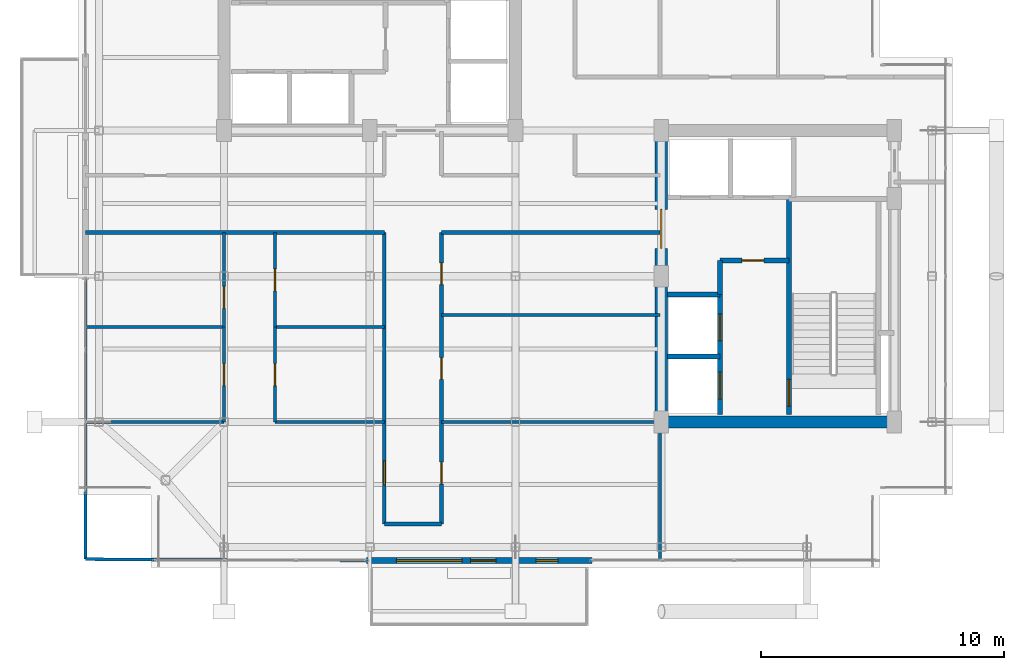
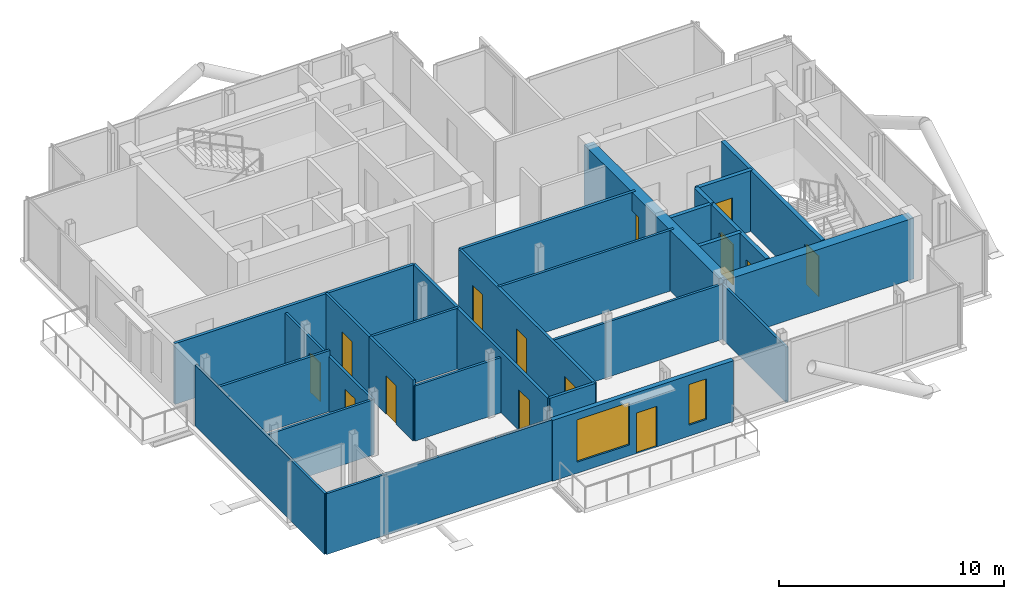
# One storey, part 14 of 18: 27 walls, 14 doors, 2 windows, 16 openings.
"""IFC4 building model written with IfcOpenShell, lengths in metres."""

from ifc_helpers import new_model, si_unit, direction, frame, frame_2d, origin, place, context, subcontext, project, spatial, rectangle, extrude, material, layer, layer_set, type_object, element, fill, save


model = new_model("IFC4")

# Units and contexts
model_context = context("Model", 3, precision=1e-05, world=origin(), true_north=direction((0.0, 1.0)))
body_context = subcontext(model_context, "Body", "Model", "MODEL_VIEW")
ifc_project = project(units=[si_unit("LENGTHUNIT", "METRE"), si_unit("AREAUNIT", "SQUARE_METRE"), si_unit("VOLUMEUNIT", "CUBIC_METRE"), si_unit("PLANEANGLEUNIT", "RADIAN"), si_unit("MASSUNIT", "GRAM", prefix="KILO"), si_unit("THERMODYNAMICTEMPERATUREUNIT", "KELVIN"), si_unit("POWERUNIT", "WATT")], contexts=[model_context])

# Site, building, storey
site_placement = place(None, origin())
site = spatial("IfcSite", under=ifc_project, at=site_placement, CompositionType="ELEMENT")
building_placement = place(site_placement, origin())
building = spatial("IfcBuilding", under=site, at=building_placement, Name="Svarakhadi Broadcast Tower", CompositionType="ELEMENT")
storey_placement = place(building_placement, frame((0.0, 0.0, 264.199951171875)))
storey = spatial("IfcBuildingStorey", under=building, at=storey_placement, Name="L66", CompositionType="ELEMENT", Elevation=264.199951171875)

# Wall, openings, door, windows
ifc_material_1 = material(Name="Concrete C40/50 (IS 456 M50)", Category="concrete")
ifc_layer_1 = layer(ifc_material_1, 0.239990234375)
ifc_layer_set_1 = layer_set([ifc_layer_1], Name="Concrete C40/50 (IS 456 M50)")
wall_type_1 = type_object("IfcWallType", Name="Wall_Ext_240", PredefinedType="SOLIDWALL", material=ifc_layer_set_1)
wall_1_placement = place(storey_placement, frame((21.14501953125, 0.300048828125, 0.0), z_axis=(0.0, 0.0, 1.0), x_axis=(-1.0, 0.0, 0.0)))
wall_1 = element("IfcWall", 1, at=wall_1_placement, inside=storey, type_object=wall_type_1, Name="L66 South Tree Balcony Spandrel Wall", PredefinedType="SOLIDWALL", context=body_context, shape_type="SweptSolid", body=[
    extrude(rectangle(XDim=9.2900390625, YDim=0.239990234375, at=frame_2d((4.64501953125, 0.0))), origin(), (0.0, 0.0, 1.0), 3.300048828125),
])
opening_1_placement = place(wall_1_placement, frame((3.945068359375, 0.0, 0.0)))
opening_1 = element("IfcOpeningElement", 2, at=opening_1_placement, cuts=wall_1, Name="Opening ED-06", PredefinedType="OPENING", context=body_context, shape_type="SweptSolid", body=[
    extrude(rectangle(XDim=1.050048828125, YDim=2.199951171875, at=frame_2d((0.52490234375, 1.10009765625))), frame((0.0, 0.1298828125, 0.0), z_axis=(0.0, -1.0, 0.0), x_axis=(1.0, 0.0, 0.0)), (0.0, 0.0, 1.0), 0.260009765625),
])
opening_2_placement = place(wall_1_placement, frame((5.344970703125, 0.0, 0.60009765625)))
opening_2 = element("IfcOpeningElement", 3, at=opening_2_placement, cuts=wall_1, Name="Opening WN-07", PredefinedType="OPENING", context=body_context, shape_type="SweptSolid", body=[
    extrude(rectangle(XDim=2.699951171875, YDim=2.300048828125, at=frame_2d((1.35009765625, 1.14990234375))), frame((0.0, 0.1298828125, 0.0), z_axis=(0.0, -1.0, 0.0), x_axis=(1.0, 0.0, 0.0)), (0.0, 0.0, 1.0), 0.260009765625),
])
opening_3_placement = place(wall_1_placement, frame((1.39990234375, 0.0, 0.60009765625)))
opening_3 = element("IfcOpeningElement", 4, at=opening_3_placement, cuts=wall_1, Name="Opening WN-04", PredefinedType="OPENING", context=body_context, shape_type="SweptSolid", body=[
    extrude(rectangle(XDim=0.89990234375, YDim=2.199951171875, at=frame_2d((0.449951171875, 1.10009765625))), frame((0.0, 0.1298828125, 0.0), z_axis=(0.0, -1.0, 0.0), x_axis=(1.0, 0.0, 0.0)), (0.0, 0.0, 1.0), 0.260009765625),
])
ifc_material_2 = material(Name="Anodised Bronze Aluminium AA 6063-T6", Category="aluminium")
door_type_1 = type_object("IfcDoorType", Name="Door_Ext_ED06", OperationType="SINGLE_SWING_RIGHT", PredefinedType="DOOR", material=ifc_material_2)
door_1_placement = place(opening_1_placement, origin())
door_1 = element("IfcDoor", 5, at=door_1_placement, inside=storey, type_object=door_type_1, Name="L66 South Tree Balcony Door", OperationType="SINGLE_SWING_RIGHT", OverallHeight=2.199951171875, OverallWidth=1.050048828125, PredefinedType="DOOR", context=body_context, shape_type="SweptSolid", body=[
    extrude(rectangle(XDim=1.050048828125, YDim=2.199951171875, at=frame_2d((0.52490234375, 1.10009765625))), frame((0.0, 0.02490234375, 0.0), z_axis=(0.0, -1.0, 0.0), x_axis=(1.0, 0.0, 0.0)), (0.0, 0.0, 1.0), 0.050048828125),
])
fill(opening_1, door_1)
ifc_material_3 = material(Name="Double Low-E Laminated Acoustic Glass IGU 36 mm", Category="glass")
window_type_1 = type_object("IfcWindowType", Name="Win_Resi_WN07", PartitioningType="SINGLE_PANEL", PredefinedType="WINDOW", material=ifc_material_3)
window_1_placement = place(opening_2_placement, origin())
window_1 = element("IfcWindow", 6, at=window_1_placement, inside=storey, type_object=window_type_1, Name="L66 South Tree Balcony Window", OverallHeight=2.300048828125, OverallWidth=2.699951171875, PartitioningType="SINGLE_PANEL", PredefinedType="WINDOW", context=body_context, shape_type="SweptSolid", body=[
    extrude(rectangle(XDim=2.699951171875, YDim=2.300048828125, at=frame_2d((1.35009765625, 1.14990234375))), frame((0.0, 0.030029296875, 0.0), z_axis=(0.0, -1.0, 0.0), x_axis=(1.0, 0.0, 0.0)), (0.0, 0.0, 1.0), 0.06005859375),
])
fill(opening_2, window_1)
window_type_2 = type_object("IfcWindowType", Name="Win_Slot_WN04", PartitioningType="SINGLE_PANEL", PredefinedType="WINDOW", material=ifc_material_3)
window_2_placement = place(opening_3_placement, origin())
window_2 = element("IfcWindow", 7, at=window_2_placement, inside=storey, type_object=window_type_2, Name="L66 South Primary Bedroom Slot Window", OverallHeight=2.199951171875, OverallWidth=0.89990234375, PartitioningType="SINGLE_PANEL", PredefinedType="WINDOW", context=body_context, shape_type="SweptSolid", body=[
    extrude(rectangle(XDim=0.89990234375, YDim=2.199951171875, at=frame_2d((0.449951171875, 1.10009765625))), frame((0.0, 0.030029296875, 0.0), z_axis=(0.0, -1.0, 0.0), x_axis=(1.0, 0.0, 0.0)), (0.0, 0.0, 1.0), 0.06005859375),
])
fill(opening_3, window_2)

# Walls
ifc_material_4 = material(Name="Fire-Rated Moisture-Resistant Gypsum Board Partition", Category="gypsum")
ifc_layer_2 = layer(ifc_material_4, 0.125)
ifc_layer_set_2 = layer_set([ifc_layer_2], Name="Fire-Rated Moisture-Resistant Gypsum Board Partition")
wall_type_2 = type_object("IfcWallType", Name="Wall_Part_125", PredefinedType="PARTITIONING", material=ifc_layer_set_2)
wall_2_placement = place(storey_placement, frame((0.300048828125, 0.35009765625, 0.0), z_axis=(0.0, 0.0, 1.0), x_axis=(0.999991685722, -0.004077804208, 0.0)))
element("IfcWall", 8, at=wall_2_placement, inside=storey, type_object=wall_type_2, Name="L66 Apartment A Wall", PredefinedType="PARTITIONING", context=body_context, shape_type="SweptSolid", body=[
    extrude(rectangle(XDim=11.554931640625, YDim=0.125, at=frame_2d((5.77734375, 0.0))), origin(), (0.0, 0.0, 1.0), 3.300048828125),
])
wall_3_placement = place(storey_placement, frame((0.300048828125, 0.35009765625, 0.0), z_axis=(0.0, 0.0, 1.0), x_axis=(0.0, 1.0, 0.0)))
element("IfcWall", 9, at=wall_3_placement, inside=storey, type_object=wall_type_2, Name="L66 Apartment A Wall", PredefinedType="PARTITIONING", context=body_context, shape_type="SweptSolid", body=[
    extrude(rectangle(XDim=11.5048828125, YDim=0.125, at=frame_2d((5.75244140625, 0.0))), origin(), (0.0, 0.0, 1.0), 3.300048828125),
])
wall_4_placement = place(storey_placement, frame((8.10009765625, 6.0, 0.0), z_axis=(0.0, 0.0, 1.0), x_axis=(1.0, 0.0, 0.0)))
element("IfcWall", 10, at=wall_4_placement, inside=storey, type_object=wall_type_2, Name="L66 Apartment A Kitchen Wall", PredefinedType="PARTITIONING", context=body_context, shape_type="SweptSolid", body=[
    extrude(rectangle(XDim=4.5, YDim=0.125, at=frame_2d((2.25, 0.0))), origin(), (0.0, 0.0, 1.0), 2.991943359375),
])
wall_5_placement = place(storey_placement, frame((8.10009765625, 9.89990234375, 0.0), z_axis=(0.0, 0.0, 1.0), x_axis=(1.0, 0.0, 0.0)))
element("IfcWall", 11, at=wall_5_placement, inside=storey, type_object=wall_type_2, Name="L66 Apartment A Kitchen Wall", PredefinedType="PARTITIONING", context=body_context, shape_type="SweptSolid", body=[
    extrude(rectangle(XDim=4.5, YDim=0.125, at=frame_2d((2.25, 0.0))), origin(), (0.0, 0.0, 1.0), 3.300048828125),
])

# Wall, opening, door
wall_6_placement = place(storey_placement, frame((8.10009765625, 6.0, 0.0), z_axis=(0.0, 0.0, 1.0), x_axis=(0.0, 1.0, 0.0)))
wall_6 = element("IfcWall", 12, at=wall_6_placement, inside=storey, type_object=wall_type_2, Name="L66 Apartment A Kitchen Wall", PredefinedType="PARTITIONING", context=body_context, shape_type="SweptSolid", body=[
    extrude(rectangle(XDim=3.89990234375, YDim=0.125, at=frame_2d((1.949951171875, 0.0))), origin(), (0.0, 0.0, 1.0), 3.300048828125),
])
opening_4_placement = place(wall_6_placement, frame((1.5, 0.0, 0.0)))
opening_4 = element("IfcOpeningElement", 13, at=opening_4_placement, cuts=wall_6, Name="Opening D-15", PredefinedType="OPENING", context=body_context, shape_type="SweptSolid", body=[
    extrude(rectangle(XDim=0.89990234375, YDim=2.10009765625, at=frame_2d((0.449951171875, 1.050048828125))), frame((0.0, 0.072509765625, 0.0), z_axis=(0.0, -1.0, 0.0), x_axis=(1.0, 0.0, 0.0)), (0.0, 0.0, 1.0), 0.14501953125),
])
ifc_material_5 = material(Name="Solid-Core Teak Veneer Acoustic Timber Leaf", Category="wood")
door_type_2 = type_object("IfcDoorType", Name="Door_Int_D15", OperationType="SINGLE_SWING_RIGHT", PredefinedType="DOOR", material=ifc_material_5)
door_2_placement = place(opening_4_placement, origin())
door_2 = element("IfcDoor", 14, at=door_2_placement, inside=storey, type_object=door_type_2, Name="L66 Apartment A Kitchen Door", OperationType="SINGLE_SWING_RIGHT", OverallHeight=2.10009765625, OverallWidth=0.89990234375, PredefinedType="DOOR", context=body_context, shape_type="SweptSolid", body=[
    extrude(rectangle(XDim=0.89990234375, YDim=2.10009765625, at=frame_2d((0.449951171875, 1.050048828125))), frame((0.0, 0.02490234375, 0.0), z_axis=(0.0, -1.0, 0.0), x_axis=(1.0, 0.0, 0.0)), (0.0, 0.0, 1.0), 0.050048828125),
])
fill(opening_4, door_2)

wall_7_placement = place(storey_placement, frame((8.10009765625, 9.89990234375, 0.0), z_axis=(0.0, 0.0, 1.0), x_axis=(0.0, 1.0, 0.0)))
wall_7 = element("IfcWall", 15, at=wall_7_placement, inside=storey, type_object=wall_type_2, Name="L66 Apartment A Bathroom Wall", PredefinedType="PARTITIONING", context=body_context, shape_type="SweptSolid", body=[
    extrude(rectangle(XDim=3.900146484375, YDim=0.125, at=frame_2d((1.9501953125, 0.0))), origin(), (0.0, 0.0, 1.0), 3.300048828125),
])
opening_5_placement = place(wall_7_placement, frame((1.5, 0.0, 0.0)))
opening_5 = element("IfcOpeningElement", 16, at=opening_5_placement, cuts=wall_7, Name="Opening D-12", PredefinedType="OPENING", context=body_context, shape_type="SweptSolid", body=[
    extrude(rectangle(XDim=0.89990234375, YDim=2.10009765625, at=frame_2d((0.449951171875, 1.050048828125))), frame((0.0, 0.072509765625, 0.0), z_axis=(0.0, -1.0, 0.0), x_axis=(1.0, 0.0, 0.0)), (0.0, 0.0, 1.0), 0.14501953125),
])
door_type_3 = type_object("IfcDoorType", Name="Door_WC_D01", OperationType="SINGLE_SWING_LEFT", PredefinedType="DOOR", material=ifc_material_5)
door_3_placement = place(opening_5_placement, origin())
door_3 = element("IfcDoor", 17, at=door_3_placement, inside=storey, type_object=door_type_3, Name="L66 Apartment A Bathroom Door", OperationType="SINGLE_SWING_LEFT", OverallHeight=2.10009765625, OverallWidth=0.89990234375, PredefinedType="DOOR", context=body_context, shape_type="SweptSolid", body=[
    extrude(rectangle(XDim=0.89990234375, YDim=2.10009765625, at=frame_2d((0.449951171875, 1.050048828125))), frame((0.0, 0.02490234375, 0.0), z_axis=(0.0, -1.0, 0.0), x_axis=(1.0, 0.0, 0.0)), (0.0, 0.0, 1.0), 0.050048828125),
])
fill(opening_5, door_3)

# Walls
wall_8_placement = place(storey_placement, frame((0.300048828125, 6.0, 0.0), z_axis=(0.0, 0.0, 1.0), x_axis=(1.0, 0.0, 0.0)))
element("IfcWall", 18, at=wall_8_placement, inside=storey, type_object=wall_type_2, Name="L66 Apartment A Bedroom 1 Wall", PredefinedType="PARTITIONING", context=body_context, shape_type="SweptSolid", body=[
    extrude(rectangle(XDim=5.699951171875, YDim=0.125, at=frame_2d((2.85009765625, 0.0))), origin(), (0.0, 0.0, 1.0), 2.991943359375),
])
wall_9_placement = place(storey_placement, frame((0.300048828125, 9.89990234375, 0.0), z_axis=(0.0, 0.0, 1.0), x_axis=(1.0, 0.0, 0.0)))
element("IfcWall", 19, at=wall_9_placement, inside=storey, type_object=wall_type_2, Name="L66 Apartment A Bedroom 1 Wall", PredefinedType="PARTITIONING", context=body_context, shape_type="SweptSolid", body=[
    extrude(rectangle(XDim=5.699951171875, YDim=0.125, at=frame_2d((2.85009765625, 0.0))), origin(), (0.0, 0.0, 1.0), 3.300048828125),
])

# Wall, opening, door
wall_10_placement = place(storey_placement, frame((6.0, 6.0, 0.0), z_axis=(0.0, 0.0, 1.0), x_axis=(0.0, 1.0, 0.0)))
wall_10 = element("IfcWall", 20, at=wall_10_placement, inside=storey, type_object=wall_type_2, Name="L66 Apartment A Bedroom 1 Wall", PredefinedType="PARTITIONING", context=body_context, shape_type="SweptSolid", body=[
    extrude(rectangle(XDim=3.89990234375, YDim=0.125, at=frame_2d((1.949951171875, 0.0))), origin(), (0.0, 0.0, 1.0), 2.991943359375),
])
opening_6_placement = place(wall_10_placement, frame((1.5, 0.0, 0.0)))
opening_6 = element("IfcOpeningElement", 21, at=opening_6_placement, cuts=wall_10, Name="Opening D-15", PredefinedType="OPENING", context=body_context, shape_type="SweptSolid", body=[
    extrude(rectangle(XDim=0.89990234375, YDim=2.10009765625, at=frame_2d((0.449951171875, 1.050048828125))), frame((0.0, 0.072509765625, 0.0), z_axis=(0.0, -1.0, 0.0), x_axis=(1.0, 0.0, 0.0)), (0.0, 0.0, 1.0), 0.14501953125),
])
door_4_placement = place(opening_6_placement, origin())
door_4 = element("IfcDoor", 22, at=door_4_placement, inside=storey, type_object=door_type_2, Name="L66 Apartment A Bedroom 1 Door", OperationType="SINGLE_SWING_RIGHT", OverallHeight=2.10009765625, OverallWidth=0.89990234375, PredefinedType="DOOR", context=body_context, shape_type="SweptSolid", body=[
    extrude(rectangle(XDim=0.89990234375, YDim=2.10009765625, at=frame_2d((0.449951171875, 1.050048828125))), frame((0.0, 0.02490234375, 0.0), z_axis=(0.0, -1.0, 0.0), x_axis=(1.0, 0.0, 0.0)), (0.0, 0.0, 1.0), 0.050048828125),
])
fill(opening_6, door_4)

wall_11_placement = place(storey_placement, frame((6.0, 9.89990234375, 0.0), z_axis=(0.0, 0.0, 1.0), x_axis=(0.0, 1.0, 0.0)))
wall_11 = element("IfcWall", 23, at=wall_11_placement, inside=storey, type_object=wall_type_2, Name="L66 Apartment A Bedroom 2 Wall", PredefinedType="PARTITIONING", context=body_context, shape_type="SweptSolid", body=[
    extrude(rectangle(XDim=3.900146484375, YDim=0.125, at=frame_2d((1.9501953125, 0.0))), origin(), (0.0, 0.0, 1.0), 2.991943359375),
])
opening_7_placement = place(wall_11_placement, frame((0.780029296875, 0.0, 0.0)))
opening_7 = element("IfcOpeningElement", 24, at=opening_7_placement, cuts=wall_11, Name="Opening D-14", PredefinedType="OPENING", context=body_context, shape_type="SweptSolid", body=[
    extrude(rectangle(XDim=0.89990234375, YDim=2.10009765625, at=frame_2d((0.449951171875, 1.050048828125))), frame((0.0, 0.072509765625, 0.0), z_axis=(0.0, -1.0, 0.0), x_axis=(1.0, 0.0, 0.0)), (0.0, 0.0, 1.0), 0.14501953125),
])
door_type_4 = type_object("IfcDoorType", Name="Door_Int_D14", OperationType="SINGLE_SWING_LEFT", PredefinedType="DOOR", material=ifc_material_5)
door_5_placement = place(opening_7_placement, origin())
door_5 = element("IfcDoor", 25, at=door_5_placement, inside=storey, type_object=door_type_4, Name="L66 Apartment A Bedroom 2 Door", OperationType="SINGLE_SWING_LEFT", OverallHeight=2.10009765625, OverallWidth=0.89990234375, PredefinedType="DOOR", context=body_context, shape_type="SweptSolid", body=[
    extrude(rectangle(XDim=0.89990234375, YDim=2.10009765625, at=frame_2d((0.449951171875, 1.050048828125))), frame((0.0, 0.02490234375, 0.0), z_axis=(0.0, -1.0, 0.0), x_axis=(1.0, 0.0, 0.0)), (0.0, 0.0, 1.0), 0.050048828125),
])
fill(opening_7, door_5)

# Walls
wall_12_placement = place(storey_placement, frame((14.949951171875, 6.0, 0.0), z_axis=(0.0, 0.0, 1.0), x_axis=(1.0, 0.0, 0.0)))
element("IfcWall", 26, at=wall_12_placement, inside=storey, type_object=wall_type_2, Name="L66 Sky Residents Fitness Gym Wall", PredefinedType="PARTITIONING", context=body_context, shape_type="SweptSolid", body=[
    extrude(rectangle(XDim=9.0, YDim=0.125, at=frame_2d((4.5, 0.0))), origin(), (0.0, 0.0, 1.0), 2.991943359375),
])
wall_13_placement = place(storey_placement, frame((23.949951171875, 0.300048828125, 0.0), z_axis=(0.0, 0.0, 1.0), x_axis=(0.0, 1.0, 0.0)))
element("IfcWall", 27, at=wall_13_placement, inside=storey, type_object=wall_type_2, Name="L66 Sky Residents Fitness Gym Wall", PredefinedType="PARTITIONING", context=body_context, shape_type="SweptSolid", body=[
    extrude(rectangle(XDim=5.699951171875, YDim=0.125, at=frame_2d((2.85009765625, 0.0))), origin(), (0.0, 0.0, 1.0), 2.991943359375),
])
wall_14_placement = place(storey_placement, frame((14.949951171875, 10.39990234375, 0.0), z_axis=(0.0, 0.0, 1.0), x_axis=(1.0, 0.0, 0.0)))
element("IfcWall", 28, at=wall_14_placement, inside=storey, type_object=wall_type_2, Name="L66 Private Cinema Screening Room Wall", PredefinedType="PARTITIONING", context=body_context, shape_type="SweptSolid", body=[
    extrude(rectangle(XDim=9.0, YDim=0.125, at=frame_2d((4.5, 0.0))), origin(), (0.0, 0.0, 1.0), 3.300048828125),
])

# Wall, opening, door
ifc_material_6 = material(Name="Autoclaved Aerated Concrete Blockwork 150 mm", Category="masonry")
ifc_layer_3 = layer(ifc_material_6, 0.14990234375)
ifc_layer_set_3 = layer_set([ifc_layer_3], Name="Autoclaved Aerated Concrete Blockwork 150 mm")
wall_type_3 = type_object("IfcWallType", Name="Wall_Part_150", PredefinedType="PARTITIONING", material=ifc_layer_set_3)
wall_15_placement = place(storey_placement, frame((12.60009765625, 1.800048828125, 0.0), z_axis=(0.0, 0.0, 1.0), x_axis=(0.0, 1.0, 0.0)))
wall_15 = element("IfcWall", 29, at=wall_15_placement, inside=storey, type_object=wall_type_3, Name="L66 Upper Tower Concourse Wall", PredefinedType="PARTITIONING", context=body_context, shape_type="SweptSolid", body=[
    extrude(rectangle(XDim=12.0, YDim=0.14990234375, at=frame_2d((6.0, 0.0))), origin(), (0.0, 0.0, 1.0), 3.300048828125),
])
opening_8_placement = place(wall_15_placement, frame((1.60009765625, 0.0, 0.0)))
opening_8 = element("IfcOpeningElement", 30, at=opening_8_placement, cuts=wall_15, Name="Opening D-09", PredefinedType="OPENING", context=body_context, shape_type="SweptSolid", body=[
    extrude(rectangle(XDim=1.0, YDim=2.199951171875, at=frame_2d((0.5, 1.10009765625))), frame((0.0, 0.0849609375, 0.0), z_axis=(0.0, -1.0, 0.0), x_axis=(1.0, 0.0, 0.0)), (0.0, 0.0, 1.0), 0.169921875),
])
door_type_5 = type_object("IfcDoorType", Name="Door_Suite_D09", OperationType="SINGLE_SWING_RIGHT", PredefinedType="DOOR", material=ifc_material_5)
door_6_placement = place(opening_8_placement, origin())
door_6 = element("IfcDoor", 31, at=door_6_placement, inside=storey, type_object=door_type_5, Name="L66 Apartment A Entrance Door", OperationType="SINGLE_SWING_RIGHT", OverallHeight=2.199951171875, OverallWidth=1.0, PredefinedType="DOOR", context=body_context, shape_type="SweptSolid", body=[
    extrude(rectangle(XDim=1.0, YDim=2.199951171875, at=frame_2d((0.5, 1.10009765625))), frame((0.0, 0.02490234375, 0.0), z_axis=(0.0, -1.0, 0.0), x_axis=(1.0, 0.0, 0.0)), (0.0, 0.0, 1.0), 0.050048828125),
])
fill(opening_8, door_6)

# Walls
wall_16_placement = place(storey_placement, frame((12.60009765625, 13.800048828125, 0.0), z_axis=(0.0, 0.0, 1.0), x_axis=(-1.0, 0.0, 0.0)))
element("IfcWall", 32, at=wall_16_placement, inside=storey, type_object=wall_type_3, Name="L66 Upper Tower Concourse Wall", PredefinedType="PARTITIONING", context=body_context, shape_type="SweptSolid", body=[
    extrude(rectangle(XDim=12.300048828125, YDim=0.14990234375, at=frame_2d((6.14990234375, 0.0))), origin(), (0.0, 0.0, 1.0), 3.300048828125),
])
wall_17_placement = place(storey_placement, frame((23.949951171875, 13.800048828125, 0.0), z_axis=(0.0, 0.0, 1.0), x_axis=(-1.0, 0.0, 0.0)))
element("IfcWall", 33, at=wall_17_placement, inside=storey, type_object=wall_type_3, Name="L66 Upper Tower Concourse Wall", PredefinedType="PARTITIONING", context=body_context, shape_type="SweptSolid", body=[
    extrude(rectangle(XDim=9.0, YDim=0.14990234375, at=frame_2d((4.5, 0.0))), origin(), (0.0, 0.0, 1.0), 3.300048828125),
])

# Wall, openings, doors
wall_18_placement = place(storey_placement, frame((14.949951171875, 13.800048828125, 0.0), z_axis=(0.0, 0.0, 1.0), x_axis=(0.0, -1.0, 0.0)))
wall_18 = element("IfcWall", 34, at=wall_18_placement, inside=storey, type_object=wall_type_3, Name="L66 Upper Tower Concourse Wall", PredefinedType="PARTITIONING", context=body_context, shape_type="SweptSolid", body=[
    extrude(rectangle(XDim=12.0, YDim=0.14990234375, at=frame_2d((6.0, 0.0))), origin(), (0.0, 0.0, 1.0), 3.300048828125),
])
opening_9_placement = place(wall_18_placement, frame((9.449951171875, 0.0, 0.0)))
opening_9 = element("IfcOpeningElement", 35, at=opening_9_placement, cuts=wall_18, Name="Opening D-14", PredefinedType="OPENING", context=body_context, shape_type="SweptSolid", body=[
    extrude(rectangle(XDim=0.89990234375, YDim=2.10009765625, at=frame_2d((0.449951171875, 1.050048828125))), frame((0.0, 0.0849609375, 0.0), z_axis=(0.0, -1.0, 0.0), x_axis=(1.0, 0.0, 0.0)), (0.0, 0.0, 1.0), 0.169921875),
])
opening_10_placement = place(wall_18_placement, frame((5.14990234375, 0.0, 0.0)))
opening_10 = element("IfcOpeningElement", 36, at=opening_10_placement, cuts=wall_18, Name="Opening D-15", PredefinedType="OPENING", context=body_context, shape_type="SweptSolid", body=[
    extrude(rectangle(XDim=0.89990234375, YDim=2.10009765625, at=frame_2d((0.449951171875, 1.050048828125))), frame((0.0, 0.0849609375, 0.0), z_axis=(0.0, -1.0, 0.0), x_axis=(1.0, 0.0, 0.0)), (0.0, 0.0, 1.0), 0.169921875),
])
opening_11_placement = place(wall_18_placement, frame((1.25, 0.0, 0.0)))
opening_11 = element("IfcOpeningElement", 37, at=opening_11_placement, cuts=wall_18, Name="Opening D-14", PredefinedType="OPENING", context=body_context, shape_type="SweptSolid", body=[
    extrude(rectangle(XDim=0.89990234375, YDim=2.10009765625, at=frame_2d((0.449951171875, 1.050048828125))), frame((0.0, 0.0849609375, 0.0), z_axis=(0.0, -1.0, 0.0), x_axis=(1.0, 0.0, 0.0)), (0.0, 0.0, 1.0), 0.169921875),
])
door_7_placement = place(opening_9_placement, origin())
door_7 = element("IfcDoor", 38, at=door_7_placement, inside=storey, type_object=door_type_4, Name="L66 Sky Residents Fitness Gym Door", OperationType="SINGLE_SWING_LEFT", OverallHeight=2.10009765625, OverallWidth=0.89990234375, PredefinedType="DOOR", context=body_context, shape_type="SweptSolid", body=[
    extrude(rectangle(XDim=0.89990234375, YDim=2.10009765625, at=frame_2d((0.449951171875, 1.050048828125))), frame((0.0, 0.02490234375, 0.0), z_axis=(0.0, -1.0, 0.0), x_axis=(1.0, 0.0, 0.0)), (0.0, 0.0, 1.0), 0.050048828125),
])
fill(opening_9, door_7)
door_8_placement = place(opening_11_placement, origin())
door_8 = element("IfcDoor", 39, at=door_8_placement, inside=storey, type_object=door_type_4, Name="L66 Executive Co-Working Office Door", OperationType="SINGLE_SWING_LEFT", OverallHeight=2.10009765625, OverallWidth=0.89990234375, PredefinedType="DOOR", context=body_context, shape_type="SweptSolid", body=[
    extrude(rectangle(XDim=0.89990234375, YDim=2.10009765625, at=frame_2d((0.449951171875, 1.050048828125))), frame((0.0, 0.02490234375, 0.0), z_axis=(0.0, -1.0, 0.0), x_axis=(1.0, 0.0, 0.0)), (0.0, 0.0, 1.0), 0.050048828125),
])
fill(opening_11, door_8)
door_9_placement = place(opening_10_placement, origin())
door_9 = element("IfcDoor", 40, at=door_9_placement, inside=storey, type_object=door_type_2, Name="L66 Private Cinema Screening Room Door", OperationType="SINGLE_SWING_RIGHT", OverallHeight=2.10009765625, OverallWidth=0.89990234375, PredefinedType="DOOR", context=body_context, shape_type="SweptSolid", body=[
    extrude(rectangle(XDim=0.89990234375, YDim=2.10009765625, at=frame_2d((0.449951171875, 1.050048828125))), frame((0.0, 0.02490234375, 0.0), z_axis=(0.0, -1.0, 0.0), x_axis=(1.0, 0.0, 0.0)), (0.0, 0.0, 1.0), 0.050048828125),
])
fill(opening_10, door_9)

# Wall
wall_19_placement = place(storey_placement, frame((14.949951171875, 1.800048828125, 0.0), z_axis=(0.0, 0.0, 1.0), x_axis=(-1.0, 0.0, 0.0)))
element("IfcWall", 41, at=wall_19_placement, inside=storey, type_object=wall_type_3, Name="L66 Upper Tower Concourse Wall", PredefinedType="PARTITIONING", context=body_context, shape_type="SweptSolid", body=[
    extrude(rectangle(XDim=2.349853515625, YDim=0.14990234375, at=frame_2d((1.1748046875, 0.0))), origin(), (0.0, 0.0, 1.0), 3.300048828125),
])

# Wall, opening, door
ifc_material_7 = material(Name="Concrete C50/60 (IS 456 M60)", Category="concrete")
ifc_layer_4 = layer(ifc_material_7, 0.199951171875)
ifc_layer_set_4 = layer_set([ifc_layer_4], Name="Concrete C50/60 (IS 456 M60)")
wall_type_4 = type_object("IfcWallType", Name="Wall_Shear_200", PredefinedType="SHEAR", material=ifc_layer_set_4)
wall_20_placement = place(storey_placement, frame((29.260009765625, 6.300048828125, 0.0), z_axis=(0.0, 0.0, 1.0), x_axis=(0.0, 1.0, 0.0)))
wall_20 = element("IfcWall", 42, at=wall_20_placement, inside=storey, type_object=wall_type_4, Name="L66 Stair ST-02 West RC Shaft Wall", PredefinedType="SHEAR", context=body_context, shape_type="SweptSolid", body=[
    extrude(rectangle(XDim=8.8798828125, YDim=0.199951171875, at=frame_2d((4.43994140625, 0.0))), origin(), (0.0, 0.0, 1.0), 3.300048828125),
])
opening_12_placement = place(wall_20_placement, frame((0.35009765625, 0.0, 0.0)))
opening_12 = element("IfcOpeningElement", 43, at=opening_12_placement, cuts=wall_20, Name="Opening D-02", PredefinedType="OPENING", context=body_context, shape_type="SweptSolid", body=[
    extrude(rectangle(XDim=1.10009765625, YDim=2.199951171875, at=frame_2d((0.550048828125, 1.10009765625))), frame((0.0, 0.10986328125, 0.0), z_axis=(0.0, -1.0, 0.0), x_axis=(1.0, 0.0, 0.0)), (0.0, 0.0, 1.0), 0.219970703125),
])
ifc_material_8 = material(Name="Galvanised Powder-Coated Fire-Rated Steel Leaf", Category="steel")
door_type_6 = type_object("IfcDoorType", Name="Door_Stair_D02", OperationType="SINGLE_SWING_RIGHT", PredefinedType="DOOR", material=ifc_material_8)
door_10_placement = place(opening_12_placement, origin())
door_10 = element("IfcDoor", 44, at=door_10_placement, inside=storey, type_object=door_type_6, Name="L66 Protected Exit Stair ST-02 Fire Door", OperationType="SINGLE_SWING_RIGHT", OverallHeight=2.199951171875, OverallWidth=1.10009765625, PredefinedType="DOOR", context=body_context, shape_type="SweptSolid", body=[
    extrude(rectangle(XDim=1.10009765625, YDim=2.199951171875, at=frame_2d((0.550048828125, 1.10009765625))), frame((0.0, 0.02490234375, 0.0), z_axis=(0.0, -1.0, 0.0), x_axis=(1.0, 0.0, 0.0)), (0.0, 0.0, 1.0), 0.050048828125),
])
fill(opening_12, door_10)

# Wall, openings, doors
wall_21_placement = place(storey_placement, frame((26.419921875, 6.300048828125, 0.0), z_axis=(0.0, 0.0, 1.0), x_axis=(0.0, 1.0, 0.0)))
wall_21 = element("IfcWall", 45, at=wall_21_placement, inside=storey, type_object=wall_type_4, Name="L66 Firefighting Lift LF-03/04 Shaft Wall", PredefinedType="SHEAR", context=body_context, shape_type="SweptSolid", body=[
    extrude(rectangle(XDim=4.949951171875, YDim=0.199951171875, at=frame_2d((2.47509765625, 0.0))), origin(), (0.0, 0.0, 1.0), 3.300048828125),
])
opening_13_placement = place(wall_21_placement, frame((0.64990234375, 0.0, 0.0)))
opening_13 = element("IfcOpeningElement", 46, at=opening_13_placement, cuts=wall_21, Name="Opening LD-01", PredefinedType="OPENING", context=body_context, shape_type="SweptSolid", body=[
    extrude(rectangle(XDim=1.10009765625, YDim=2.199951171875, at=frame_2d((0.550048828125, 1.10009765625))), frame((0.0, 0.10986328125, 0.0), z_axis=(0.0, -1.0, 0.0), x_axis=(1.0, 0.0, 0.0)), (0.0, 0.0, 1.0), 0.219970703125),
])
opening_14_placement = place(wall_21_placement, frame((3.050048828125, 0.0, 0.0)))
opening_14 = element("IfcOpeningElement", 47, at=opening_14_placement, cuts=wall_21, Name="Opening LD-01", PredefinedType="OPENING", context=body_context, shape_type="SweptSolid", body=[
    extrude(rectangle(XDim=1.10009765625, YDim=2.199951171875, at=frame_2d((0.550048828125, 1.10009765625))), frame((0.0, 0.10986328125, 0.0), z_axis=(0.0, -1.0, 0.0), x_axis=(1.0, 0.0, 0.0)), (0.0, 0.0, 1.0), 0.219970703125),
])
door_type_7 = type_object("IfcDoorType", Name="Door_Lift_LD01", OperationType="SLIDING_TO_LEFT", PredefinedType="DOOR", material=ifc_material_8)
door_11_placement = place(opening_13_placement, origin())
door_11 = element("IfcDoor", 48, at=door_11_placement, inside=storey, type_object=door_type_7, Name="L66 Firefighting Lift LF-03 Landing Door", OperationType="SLIDING_TO_LEFT", OverallHeight=2.199951171875, OverallWidth=1.10009765625, PredefinedType="DOOR", context=body_context, shape_type="SweptSolid", body=[
    extrude(rectangle(XDim=1.10009765625, YDim=2.199951171875, at=frame_2d((0.550048828125, 1.10009765625))), frame((0.0, 0.02490234375, 0.0), z_axis=(0.0, -1.0, 0.0), x_axis=(1.0, 0.0, 0.0)), (0.0, 0.0, 1.0), 0.050048828125),
])
fill(opening_13, door_11)
door_12_placement = place(opening_14_placement, origin())
door_12 = element("IfcDoor", 49, at=door_12_placement, inside=storey, type_object=door_type_7, Name="L66 Firefighting Lift LF-04 Landing Door", OperationType="SLIDING_TO_LEFT", OverallHeight=2.199951171875, OverallWidth=1.10009765625, PredefinedType="DOOR", context=body_context, shape_type="SweptSolid", body=[
    extrude(rectangle(XDim=1.10009765625, YDim=2.199951171875, at=frame_2d((0.550048828125, 1.10009765625))), frame((0.0, 0.02490234375, 0.0), z_axis=(0.0, -1.0, 0.0), x_axis=(1.0, 0.0, 0.0)), (0.0, 0.0, 1.0), 0.050048828125),
])
fill(opening_14, door_12)

# Walls
for number, where, z_axis, x_axis, name in (
    (50, (24.25, 8.699951171875, 0.0), (0.0, 0.0, 1.0), (1.0, 0.0, 0.0), "L66 Firefighting Lift LF-03/04 Divider Wall"),
    (51, (24.25, 11.25, 0.0), (0.0, 0.0, 1.0), (1.0, 0.0, 0.0), "L66 Firefighting Lift LF-04 North Wall"),
):
    element("IfcWall", number, at=place(storey_placement, frame(where, z_axis=z_axis, x_axis=x_axis)), inside=storey, type_object=wall_type_4, Name=name, PredefinedType="SHEAR", context=body_context, shape_type="SweptSolid", body=[
        extrude(rectangle(XDim=2.169921875, YDim=0.199951171875, at=frame_2d((1.0849609375, 0.0))), origin(), (0.0, 0.0, 1.0), 3.300048828125),
    ])
wall_22_placement = place(storey_placement, frame((26.419921875, 11.25, 0.0), z_axis=(0.0, 0.0, 1.0), x_axis=(0.0, 1.0, 0.0)))
element("IfcWall", 52, at=wall_22_placement, inside=storey, type_object=wall_type_4, Name="L66 East Firefighting Lobby West Wall", PredefinedType="SHEAR", context=body_context, shape_type="SweptSolid", body=[
    extrude(rectangle(XDim=1.39990234375, YDim=0.199951171875, at=frame_2d((0.699951171875, 0.0))), origin(), (0.0, 0.0, 1.0), 3.300048828125),
])

# Wall, opening, door
wall_23_placement = place(storey_placement, frame((26.419921875, 12.64990234375, 0.0), z_axis=(0.0, 0.0, 1.0), x_axis=(1.0, 0.0, 0.0)))
wall_23 = element("IfcWall", 53, at=wall_23_placement, inside=storey, type_object=wall_type_4, Name="L66 East Firefighting Lobby North Wall", PredefinedType="SHEAR", context=body_context, shape_type="SweptSolid", body=[
    extrude(rectangle(XDim=2.840087890625, YDim=0.199951171875, at=frame_2d((1.419921875, 0.0))), origin(), (0.0, 0.0, 1.0), 3.300048828125),
])
opening_15_placement = place(wall_23_placement, frame((0.89990234375, 0.0, 0.0)))
opening_15 = element("IfcOpeningElement", 54, at=opening_15_placement, cuts=wall_23, Name="Opening D-04", PredefinedType="OPENING", context=body_context, shape_type="SweptSolid", body=[
    extrude(rectangle(XDim=0.89990234375, YDim=2.14990234375, at=frame_2d((0.449951171875, 1.074951171875))), frame((0.0, 0.10986328125, 0.0), z_axis=(0.0, -1.0, 0.0), x_axis=(1.0, 0.0, 0.0)), (0.0, 0.0, 1.0), 0.219970703125),
])
door_type_8 = type_object("IfcDoorType", Name="Door_Fire_D04", OperationType="SINGLE_SWING_RIGHT", PredefinedType="DOOR", material=ifc_material_8)
door_13_placement = place(opening_15_placement, origin())
door_13 = element("IfcDoor", 55, at=door_13_placement, inside=storey, type_object=door_type_8, Name="L66 East Firefighting Lobby Fire Door", OperationType="SINGLE_SWING_RIGHT", OverallHeight=2.14990234375, OverallWidth=0.89990234375, PredefinedType="DOOR", context=body_context, shape_type="SweptSolid", body=[
    extrude(rectangle(XDim=0.89990234375, YDim=2.14990234375, at=frame_2d((0.449951171875, 1.074951171875))), frame((0.0, 0.02490234375, 0.0), z_axis=(0.0, -1.0, 0.0), x_axis=(1.0, 0.0, 0.0)), (0.0, 0.0, 1.0), 0.050048828125),
])
fill(opening_15, door_13)

# Wall
ifc_layer_5 = layer(ifc_material_7, 0.5)
ifc_layer_set_5 = layer_set([ifc_layer_5], Name="Concrete C50/60 (IS 456 M60)")
wall_type_5 = type_object("IfcWallType", Name="Wall_Shear_500", PredefinedType="SHEAR", material=ifc_layer_set_5)
wall_24_placement = place(storey_placement, frame((24.0, 6.0, 0.0), z_axis=(0.0, 0.0, 1.0), x_axis=(1.0, 0.0, 0.0)))
element("IfcWall", 56, at=wall_24_placement, inside=storey, type_object=wall_type_5, Name="L66 East Core South Shear Wall", PredefinedType="SHEAR", context=body_context, shape_type="SweptSolid", body=[
    extrude(rectangle(XDim=9.60009765625, YDim=0.5, at=frame_2d((4.800048828125, 0.0))), origin(), (0.0, 0.0, 1.0), 3.300048828125),
])

# Wall, opening, door
wall_25_placement = place(storey_placement, frame((24.0, 6.0, 0.0), z_axis=(0.0, 0.0, 1.0), x_axis=(0.0, 1.0, 0.0)))
wall_25 = element("IfcWall", 57, at=wall_25_placement, inside=storey, type_object=wall_type_5, Name="L66 East Core West Shear Wall", PredefinedType="SHEAR", context=body_context, shape_type="SweptSolid", body=[
    extrude(rectangle(XDim=12.0, YDim=0.5, at=frame_2d((6.0, 0.0))), origin(), (0.0, 0.0, 1.0), 3.300048828125),
])
opening_16_placement = place(wall_25_placement, frame((7.14990234375, 0.0, 0.0)))
opening_16 = element("IfcOpeningElement", 58, at=opening_16_placement, cuts=wall_25, Name="Opening D-05", PredefinedType="OPENING", context=body_context, shape_type="SweptSolid", body=[
    extrude(rectangle(XDim=1.60009765625, YDim=2.300048828125, at=frame_2d((0.800048828125, 1.14990234375))), frame((0.0, 0.260009765625, 0.0), z_axis=(0.0, -1.0, 0.0), x_axis=(1.0, 0.0, 0.0)), (0.0, 0.0, 1.0), 0.52001953125),
])
door_type_9 = type_object("IfcDoorType", Name="Door_Lobby_D05", OperationType="DOUBLE_DOOR_SLIDING", PredefinedType="DOOR", material=ifc_material_2)
door_14_placement = place(opening_16_placement, origin())
door_14 = element("IfcDoor", 59, at=door_14_placement, inside=storey, type_object=door_type_9, Name="L66 East Core Passenger Lift Lobby Entrance Door", OperationType="DOUBLE_DOOR_SLIDING", OverallHeight=2.300048828125, OverallWidth=1.60009765625, PredefinedType="DOOR", context=body_context, shape_type="SweptSolid", body=[
    extrude(rectangle(XDim=1.60009765625, YDim=2.300048828125, at=frame_2d((0.800048828125, 1.14990234375))), frame((0.0, 0.02490234375, 0.0), z_axis=(0.0, -1.0, 0.0), x_axis=(1.0, 0.0, 0.0)), (0.0, 0.0, 1.0), 0.050048828125),
])
fill(opening_16, door_14)

save(model, "model.ifc")
